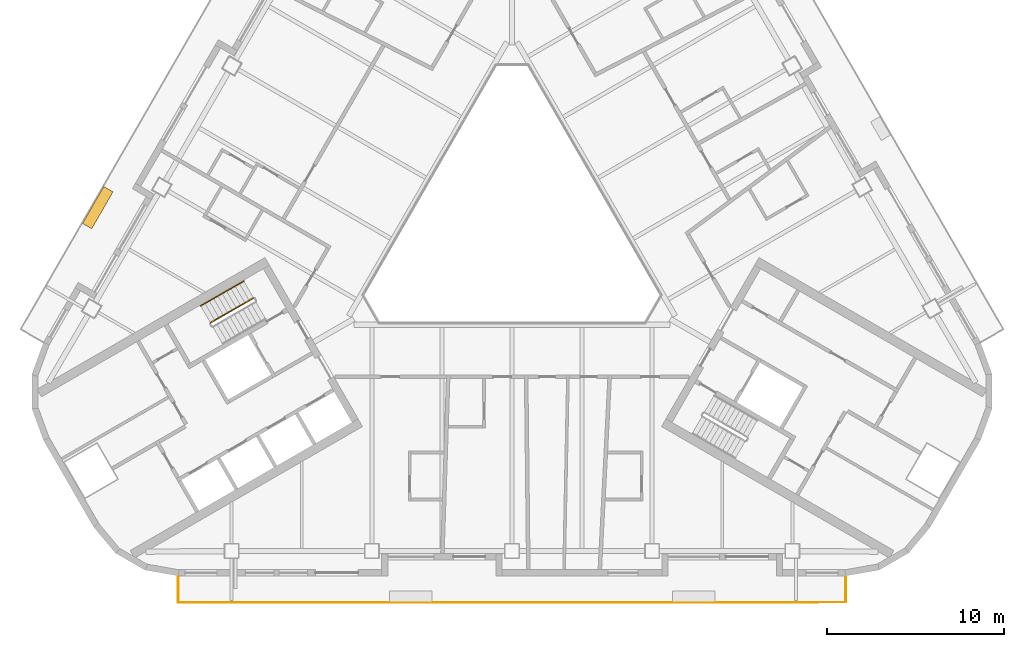
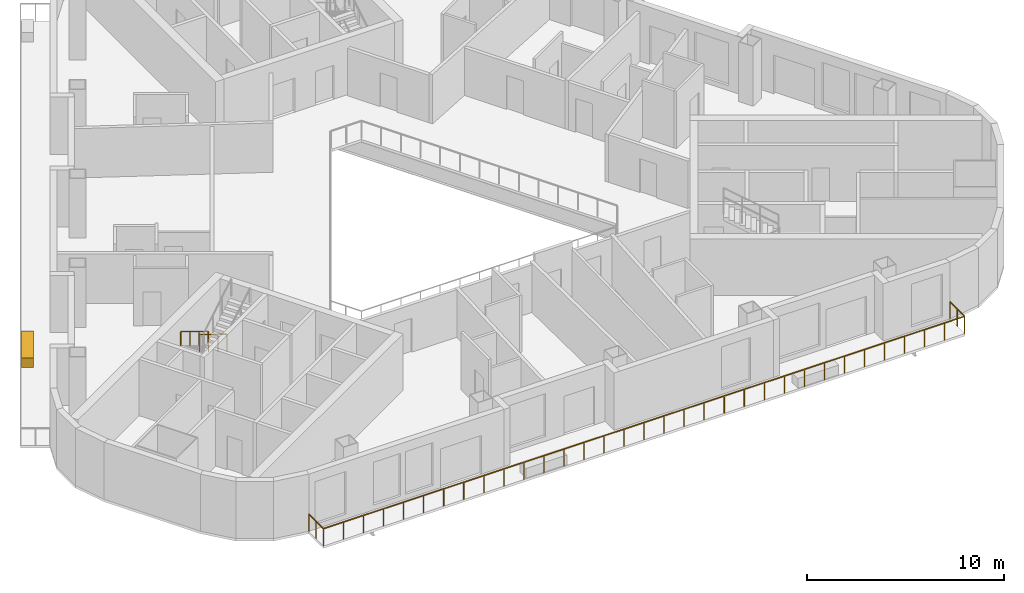
# One storey, part 10 of 14: 3 railings, 1 covering.
"""IFC4 building model written with IfcOpenShell, lengths in metres."""

from ifc_helpers import new_model, si_unit, direction, frame, origin, origin_2d, place, context, subcontext, project, spatial, rectangle, circle, extrude, material, type_object, element, save


model = new_model("IFC4")

# Units and contexts
model_context = context("Model", 3, precision=1e-05, world=origin(), true_north=direction((0.0, 1.0)))
body_context = subcontext(model_context, "Body", "Model", "MODEL_VIEW")
ifc_project = project(units=[si_unit("LENGTHUNIT", "METRE"), si_unit("AREAUNIT", "SQUARE_METRE"), si_unit("VOLUMEUNIT", "CUBIC_METRE"), si_unit("PLANEANGLEUNIT", "RADIAN"), si_unit("MASSUNIT", "GRAM", prefix="KILO")], contexts=[model_context])

# Site, building, storey
site_placement = place(None, origin())
site = spatial("IfcSite", under=ifc_project, at=site_placement, CompositionType="ELEMENT")
building_placement = place(site_placement, origin())
building = spatial("IfcBuilding", under=site, at=building_placement, Name="Apuvela Tower Hotel", CompositionType="ELEMENT")
storey_placement = place(building_placement, frame((0.0, 0.0, 172.5)))
storey = spatial("IfcBuildingStorey", under=building, at=storey_placement, Name="L41", CompositionType="ELEMENT", Elevation=172.5)

# Railings
ifc_material_1 = material(Name="Steel S275 balustrade", Category="steel")
railing_type_1 = type_object("IfcRailingType", Name="COR-GUARD-1100", PredefinedType="GUARDRAIL", material=ifc_material_1)
railing_1_placement = place(storey_placement, frame((-14.569091796875, -3.9658203125, 0.168212890625)))
element("IfcRailing", 1, at=railing_1_placement, inside=storey, type_object=railing_type_1, Name="L41 ST2 stair guard 1", PredefinedType="GUARDRAIL", context=body_context, shape_type="SweptSolid", body=[
    extrude(rectangle(XDim=0.048095703125, YDim=0.048095703125, at=origin_2d()), frame((0.0, 0.0, 1.076171875), z_axis=(-0.742390482028, -0.42860119049, 0.514934356695), x_axis=(0.49998411664, -0.866034573852, 0.0)), (0.0, 0.0, 1.0), 3.26611328125),
    extrude(rectangle(XDim=0.0419921875, YDim=0.0419921875, at=origin_2d()), origin(), (0.0, 0.0, 1.0), 1.052001953125),
    extrude(rectangle(XDim=0.0419921875, YDim=0.0419921875, at=origin_2d()), frame((-0.808349609375, -0.466552734375, 0.560546875)), (0.0, 0.0, 1.0), 1.052001953125),
    extrude(rectangle(XDim=0.0419921875, YDim=0.0419921875, at=origin_2d()), frame((-1.616455078125, -0.933349609375, 1.121337890625)), (0.0, 0.0, 1.0), 1.052001953125),
    extrude(rectangle(XDim=0.0419921875, YDim=0.0419921875, at=origin_2d()), frame((-2.4248046875, -1.39990234375, 1.681884765625)), (0.0, 0.0, 1.0), 1.052001953125),
])
ifc_material_2 = material(Name="Stainless steel 316 handrail", Category="steel")
railing_type_2 = type_object("IfcRailingType", Name="COR-HANDRAIL-900", PredefinedType="HANDRAIL", material=ifc_material_2)
railing_2_placement = place(storey_placement, frame((-15.118896484375, -3.01318359375, 0.168212890625)))
element("IfcRailing", 2, at=railing_2_placement, inside=storey, type_object=railing_type_2, Name="L41 ST2 stair handrail 1", PredefinedType="HANDRAIL", context=body_context, shape_type="SweptSolid", body=[
    extrude(circle(Radius=0.02392578125, at=origin_2d()), frame((0.0, 0.0, 0.8759765625), z_axis=(-0.742424030051, -0.428577407461, 0.514905783049), x_axis=(0.49994636267, -0.866056369097, 0.0)), (0.0, 0.0, 1.0), 3.266357421875),
    extrude(rectangle(XDim=0.0419921875, YDim=0.0419921875, at=origin_2d()), origin(), (0.0, 0.0, 1.0), 0.851806640625),
    extrude(rectangle(XDim=0.0419921875, YDim=0.0419921875, at=origin_2d()), frame((-0.808349609375, -0.466552734375, 0.560546875)), (0.0, 0.0, 1.0), 0.851806640625),
    extrude(rectangle(XDim=0.0419921875, YDim=0.0419921875, at=origin_2d()), frame((-1.61669921875, -0.933349609375, 1.121337890625)), (0.0, 0.0, 1.0), 0.851806640625),
    extrude(rectangle(XDim=0.0419921875, YDim=0.0419921875, at=origin_2d()), frame((-2.425048828125, -1.39990234375, 1.681884765625)), (0.0, 0.0, 1.0), 0.851806640625),
])
ifc_material_3 = material(Name="Stainless steel 316 rail with laminated glass infill", Category="steel")
railing_type_3 = type_object("IfcRailingType", Name="ENV-GUARD-1100", PredefinedType="GUARDRAIL", material=ifc_material_3)
railing_3_placement = place(storey_placement, frame((-18.81591796875, -19.6298828125, 0.0)))
element("IfcRailing", 3, at=railing_3_placement, inside=storey, type_object=railing_type_3, Name="Balcony guard S L41", PredefinedType="GUARDRAIL", context=body_context, shape_type="SweptSolid", body=[
    extrude(rectangle(XDim=0.050048828125, YDim=0.050048828125, at=origin_2d()), frame((0.0, 0.0, 1.0751953125), z_axis=(0.0, -1.0, 0.0), x_axis=(1.0, 0.0, 0.0)), (0.0, 0.0, 1.0), 1.5),
    extrude(rectangle(XDim=0.050048828125, YDim=0.050048828125, at=origin_2d()), frame((0.0, -1.5, 1.0751953125), z_axis=(1.0, 0.0, 0.0), x_axis=(0.0, 1.0, 0.0)), (0.0, 0.0, 1.0), 37.6318359375),
    extrude(rectangle(XDim=0.050048828125, YDim=0.050048828125, at=origin_2d()), frame((37.6318359375, -1.5, 1.0751953125), z_axis=(0.0, 1.0, 0.0), x_axis=(-1.0, 0.0, 0.0)), (0.0, 0.0, 1.0), 1.5),
    extrude(rectangle(XDim=0.0400390625, YDim=0.0400390625, at=origin_2d()), origin(), (0.0, 0.0, 1.0), 1.050048828125),
    extrude(rectangle(XDim=0.0400390625, YDim=0.0400390625, at=origin_2d()), frame((0.0, -0.75, 0.0)), (0.0, 0.0, 1.0), 1.050048828125),
    extrude(rectangle(XDim=0.0400390625, YDim=0.0400390625, at=origin_2d()), frame((0.0, -1.5, 0.0)), (0.0, 0.0, 1.0), 1.050048828125),
    extrude(rectangle(XDim=0.0400390625, YDim=0.0400390625, at=origin_2d()), frame((1.176025390625, -1.5, 0.0)), (0.0, 0.0, 1.0), 1.050048828125),
    extrude(rectangle(XDim=0.0400390625, YDim=0.0400390625, at=origin_2d()), frame((2.35205078125, -1.5, 0.0)), (0.0, 0.0, 1.0), 1.050048828125),
    extrude(rectangle(XDim=0.0400390625, YDim=0.0400390625, at=origin_2d()), frame((3.528076171875, -1.5, 0.0)), (0.0, 0.0, 1.0), 1.050048828125),
    extrude(rectangle(XDim=0.0400390625, YDim=0.0400390625, at=origin_2d()), frame((4.7041015625, -1.5, 0.0)), (0.0, 0.0, 1.0), 1.050048828125),
    extrude(rectangle(XDim=0.0400390625, YDim=0.0400390625, at=origin_2d()), frame((5.8798828125, -1.5, 0.0)), (0.0, 0.0, 1.0), 1.050048828125),
    extrude(rectangle(XDim=0.0400390625, YDim=0.0400390625, at=origin_2d()), frame((7.055908203125, -1.5, 0.0)), (0.0, 0.0, 1.0), 1.050048828125),
    extrude(rectangle(XDim=0.0400390625, YDim=0.0400390625, at=origin_2d()), frame((8.23193359375, -1.5, 0.0)), (0.0, 0.0, 1.0), 1.050048828125),
    extrude(rectangle(XDim=0.0400390625, YDim=0.0400390625, at=origin_2d()), frame((9.407958984375, -1.5, 0.0)), (0.0, 0.0, 1.0), 1.050048828125),
    extrude(rectangle(XDim=0.0400390625, YDim=0.0400390625, at=origin_2d()), frame((10.583984375, -1.5, 0.0)), (0.0, 0.0, 1.0), 1.050048828125),
    extrude(rectangle(XDim=0.0400390625, YDim=0.0400390625, at=origin_2d()), frame((11.760009765625, -1.5, 0.0)), (0.0, 0.0, 1.0), 1.050048828125),
    extrude(rectangle(XDim=0.0400390625, YDim=0.0400390625, at=origin_2d()), frame((12.93603515625, -1.5, 0.0)), (0.0, 0.0, 1.0), 1.050048828125),
    extrude(rectangle(XDim=0.0400390625, YDim=0.0400390625, at=origin_2d()), frame((14.11181640625, -1.5, 0.0)), (0.0, 0.0, 1.0), 1.050048828125),
    extrude(rectangle(XDim=0.0400390625, YDim=0.0400390625, at=origin_2d()), frame((15.287841796875, -1.5, 0.0)), (0.0, 0.0, 1.0), 1.050048828125),
    extrude(rectangle(XDim=0.0400390625, YDim=0.0400390625, at=origin_2d()), frame((16.4638671875, -1.5, 0.0)), (0.0, 0.0, 1.0), 1.050048828125),
    extrude(rectangle(XDim=0.0400390625, YDim=0.0400390625, at=origin_2d()), frame((17.639892578125, -1.5, 0.0)), (0.0, 0.0, 1.0), 1.050048828125),
    extrude(rectangle(XDim=0.0400390625, YDim=0.0400390625, at=origin_2d()), frame((18.81591796875, -1.5, 0.0)), (0.0, 0.0, 1.0), 1.050048828125),
    extrude(rectangle(XDim=0.0400390625, YDim=0.0400390625, at=origin_2d()), frame((19.991943359375, -1.5, 0.0)), (0.0, 0.0, 1.0), 1.050048828125),
    extrude(rectangle(XDim=0.0400390625, YDim=0.0400390625, at=origin_2d()), frame((21.16796875, -1.5, 0.0)), (0.0, 0.0, 1.0), 1.050048828125),
    extrude(rectangle(XDim=0.0400390625, YDim=0.0400390625, at=origin_2d()), frame((22.343994140625, -1.5, 0.0)), (0.0, 0.0, 1.0), 1.050048828125),
    extrude(rectangle(XDim=0.0400390625, YDim=0.0400390625, at=origin_2d()), frame((23.52001953125, -1.5, 0.0)), (0.0, 0.0, 1.0), 1.050048828125),
    extrude(rectangle(XDim=0.0400390625, YDim=0.0400390625, at=origin_2d()), frame((24.69580078125, -1.5, 0.0)), (0.0, 0.0, 1.0), 1.050048828125),
    extrude(rectangle(XDim=0.0400390625, YDim=0.0400390625, at=origin_2d()), frame((25.871826171875, -1.5, 0.0)), (0.0, 0.0, 1.0), 1.050048828125),
    extrude(rectangle(XDim=0.0400390625, YDim=0.0400390625, at=origin_2d()), frame((27.0478515625, -1.5, 0.0)), (0.0, 0.0, 1.0), 1.050048828125),
    extrude(rectangle(XDim=0.0400390625, YDim=0.0400390625, at=origin_2d()), frame((28.223876953125, -1.5, 0.0)), (0.0, 0.0, 1.0), 1.050048828125),
    extrude(rectangle(XDim=0.0400390625, YDim=0.0400390625, at=origin_2d()), frame((29.39990234375, -1.5, 0.0)), (0.0, 0.0, 1.0), 1.050048828125),
    extrude(rectangle(XDim=0.0400390625, YDim=0.0400390625, at=origin_2d()), frame((30.575927734375, -1.5, 0.0)), (0.0, 0.0, 1.0), 1.050048828125),
    extrude(rectangle(XDim=0.0400390625, YDim=0.0400390625, at=origin_2d()), frame((31.751953125, -1.5, 0.0)), (0.0, 0.0, 1.0), 1.050048828125),
    extrude(rectangle(XDim=0.0400390625, YDim=0.0400390625, at=origin_2d()), frame((32.927734375, -1.5, 0.0)), (0.0, 0.0, 1.0), 1.050048828125),
    extrude(rectangle(XDim=0.0400390625, YDim=0.0400390625, at=origin_2d()), frame((34.103759765625, -1.5, 0.0)), (0.0, 0.0, 1.0), 1.050048828125),
    extrude(rectangle(XDim=0.0400390625, YDim=0.0400390625, at=origin_2d()), frame((35.27978515625, -1.5, 0.0)), (0.0, 0.0, 1.0), 1.050048828125),
    extrude(rectangle(XDim=0.0400390625, YDim=0.0400390625, at=origin_2d()), frame((36.455810546875, -1.5, 0.0)), (0.0, 0.0, 1.0), 1.050048828125),
    extrude(rectangle(XDim=0.0400390625, YDim=0.0400390625, at=origin_2d()), frame((37.6318359375, -1.5, 0.0)), (0.0, 0.0, 1.0), 1.050048828125),
    extrude(rectangle(XDim=0.0400390625, YDim=0.0400390625, at=origin_2d()), frame((37.6318359375, -0.75, 0.0)), (0.0, 0.0, 1.0), 1.050048828125),
    extrude(rectangle(XDim=0.0400390625, YDim=0.0400390625, at=origin_2d()), frame((37.6318359375, 0.0, 0.0)), (0.0, 0.0, 1.0), 1.050048828125),
])

# Covering
ifc_material_4 = material(Name="Planting substrate and soil, planted")
covering_type = type_object("IfcCoveringType", Name="ENV-PLANTER-2400x600", PredefinedType="USERDEFINED", material=ifc_material_4)
covering_placement = place(storey_placement, frame((-23.345947265625, 1.12353515625, 0.0), z_axis=(0.0, 0.0, 1.0), x_axis=(-0.5, -0.866025403784, 0.0)))
element("IfcCovering", 4, at=covering_placement, inside=storey, type_object=covering_type, Name="Planter NW5", ObjectType="PLANTER", PredefinedType="USERDEFINED", context=body_context, shape_type="SweptSolid", body=[
    extrude(rectangle(XDim=2.39990234375, YDim=0.60009765625, at=origin_2d()), origin(), (0.0, 0.0, 1.0), 0.60009765625),
])

save(model, "model.ifc")
